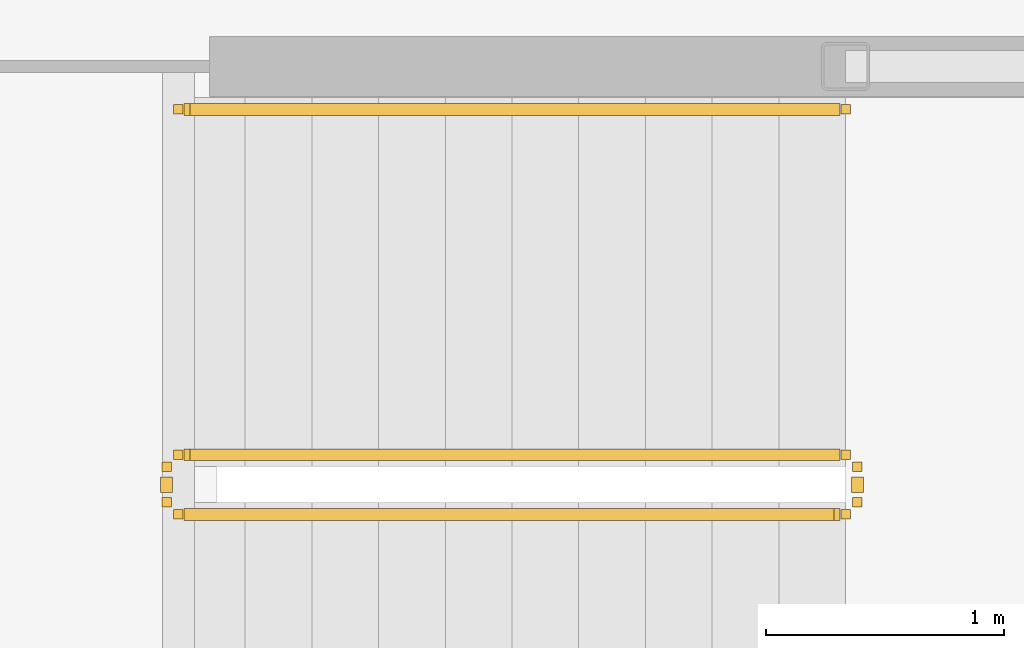
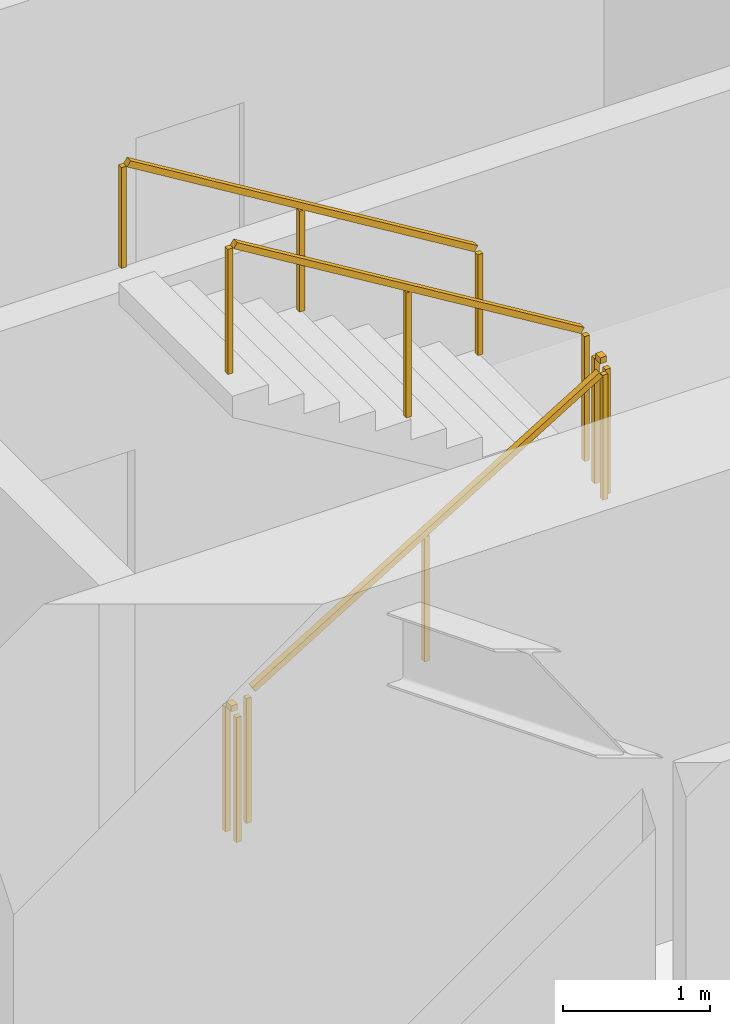
# One storey, part 28 of 31: 5 railings.
"""IFC4 building model written with IfcOpenShell, lengths in metres."""

from ifc_helpers import new_model, si_unit, direction, frame, origin, origin_2d, place, context, subcontext, project, spatial, rectangle, extrude, material, type_object, element, save


model = new_model("IFC4")

# Units and contexts
model_context = context("Model", 3, precision=1e-05, world=origin(), true_north=direction((0.0, 1.0)))
body_context = subcontext(model_context, "Body", "Model", "MODEL_VIEW")
ifc_project = project(units=[si_unit("LENGTHUNIT", "METRE"), si_unit("AREAUNIT", "SQUARE_METRE"), si_unit("VOLUMEUNIT", "CUBIC_METRE"), si_unit("PLANEANGLEUNIT", "RADIAN"), si_unit("MASSUNIT", "GRAM", prefix="KILO")], contexts=[model_context])

# Site, building, storey
site_placement = place(None, origin())
site = spatial("IfcSite", under=ifc_project, at=site_placement, CompositionType="ELEMENT")
building_placement = place(site_placement, origin())
building = spatial("IfcBuilding", under=site, at=building_placement, Name="Kazma Halo Residences", CompositionType="ELEMENT")
storey_placement = place(building_placement, frame((0.0, 0.0, 48.89990234375)))
storey = spatial("IfcBuildingStorey", under=building, at=storey_placement, Name="L11", CompositionType="ELEMENT", Elevation=48.89990234375)

# Railings
ifc_material_1 = material(Name="Painted Steel S355", Category="steel")
railing_type_1 = type_object("IfcRailingType", Name="RLG-STAIR-GRD-1100", PredefinedType="GUARDRAIL", material=ifc_material_1)
railing_1_placement = place(storey_placement, frame((53.199951171875, 35.5, 0.170654296875)))
element("IfcRailing", 1, at=railing_1_placement, inside=storey, type_object=railing_type_1, Name="L11 ST-03 stair guard 1", PredefinedType="GUARDRAIL", context=body_context, shape_type="SweptSolid", body=[
    extrude(rectangle(XDim=0.050048828125, YDim=0.050048828125, at=origin_2d()), frame((0.036376953125, 0.0, 1.09716796875), z_axis=(0.854202870247, 0.0, 0.519939858505), x_axis=(0.0, 1.0, 0.0)), (0.0, 0.0, 1.0), 3.19287109375),
    extrude(rectangle(XDim=0.0400390625, YDim=0.0400390625, at=origin_2d()), origin(), (0.0, 0.0, 1.0), 1.0380859375),
    extrude(rectangle(XDim=0.0400390625, YDim=0.0400390625, at=origin_2d()), frame((1.39990234375, 0.0, 0.85205078125)), (0.0, 0.0, 1.0), 1.0380859375),
    extrude(rectangle(XDim=0.0400390625, YDim=0.0400390625, at=origin_2d()), frame((2.800048828125, 0.0, 1.704345703125)), (0.0, 0.0, 1.0), 1.0380859375),
])
railing_2_placement = place(storey_placement, frame((56.050048828125, 35.550048828125, 1.875)))
element("IfcRailing", 2, at=railing_2_placement, inside=storey, type_object=railing_type_1, Name="L11 ST-03 stair guard 2", PredefinedType="GUARDRAIL", context=body_context, shape_type="SweptSolid", body=[
    extrude(rectangle(XDim=0.050048828125, YDim=0.050048828125, at=origin_2d()), frame((0.0, 0.04248046875, 1.0751953125), z_axis=(0.0, 1.0, 0.0), x_axis=(-1.0, 0.0, 0.0)), (0.0, 0.0, 1.0), 0.06494140625),
    extrude(rectangle(XDim=0.0400390625, YDim=0.0400390625, at=origin_2d()), origin(), (0.0, 0.0, 1.0), 1.0380859375),
    extrude(rectangle(XDim=0.0400390625, YDim=0.0400390625, at=origin_2d()), frame((0.0, 0.14990234375, 0.0)), (0.0, 0.0, 1.0), 1.0380859375),
])
railing_3_placement = place(storey_placement, frame((56.0, 35.75, 2.045654296875)))
element("IfcRailing", 3, at=railing_3_placement, inside=storey, type_object=railing_type_1, Name="L11 ST-03 stair guard 3", PredefinedType="GUARDRAIL", context=body_context, shape_type="SweptSolid", body=[
    extrude(rectangle(XDim=0.050048828125, YDim=0.050048828125, at=origin_2d()), frame((-0.036376953125, 0.0, 1.09716796875), z_axis=(-0.854202870247, 0.0, 0.519939858505), x_axis=(0.0, -1.0, 0.0)), (0.0, 0.0, 1.0), 3.19287109375),
    extrude(rectangle(XDim=0.0400390625, YDim=0.0400390625, at=origin_2d()), origin(), (0.0, 0.0, 1.0), 1.0380859375),
    extrude(rectangle(XDim=0.0400390625, YDim=0.0400390625, at=origin_2d()), frame((-1.39990234375, 0.0, 0.85205078125)), (0.0, 0.0, 1.0), 1.0380859375),
    extrude(rectangle(XDim=0.0400390625, YDim=0.0400390625, at=origin_2d()), frame((-2.800048828125, 0.0, 1.704345703125)), (0.0, 0.0, 1.0), 1.0380859375),
])
railing_4_placement = place(storey_placement, frame((53.14990234375, 35.550048828125, 0.0)))
element("IfcRailing", 4, at=railing_4_placement, inside=storey, type_object=railing_type_1, Name="L11 ST-03 stair guard 4", PredefinedType="GUARDRAIL", context=body_context, shape_type="SweptSolid", body=[
    extrude(rectangle(XDim=0.050048828125, YDim=0.050048828125, at=origin_2d()), frame((0.0, 0.04248046875, 1.0751953125), z_axis=(0.0, 1.0, 0.0), x_axis=(-1.0, 0.0, 0.0)), (0.0, 0.0, 1.0), 0.06494140625),
    extrude(rectangle(XDim=0.0400390625, YDim=0.0400390625, at=origin_2d()), origin(), (0.0, 0.0, 1.0), 1.0380859375),
    extrude(rectangle(XDim=0.0400390625, YDim=0.0400390625, at=origin_2d()), frame((0.0, 0.14990234375, 0.0)), (0.0, 0.0, 1.0), 1.0380859375),
])
ifc_material_2 = material(Name="Brushed Stainless Steel", Category="steel")
railing_type_2 = type_object("IfcRailingType", Name="RLG-STAIR-HND-900", PredefinedType="HANDRAIL", material=ifc_material_2)
railing_5_placement = place(storey_placement, frame((56.0, 37.199951171875, 2.045654296875)))
element("IfcRailing", 5, at=railing_5_placement, inside=storey, type_object=railing_type_2, Name="L11 ST-03 stair handrail 2", PredefinedType="HANDRAIL", context=body_context, shape_type="SweptSolid", body=[
    extrude(rectangle(XDim=0.050048828125, YDim=0.050048828125, at=origin_2d()), frame((-0.036376953125, 0.0, 0.89697265625), z_axis=(-0.854202870247, 0.0, 0.519939858505), x_axis=(0.0, -1.0, 0.0)), (0.0, 0.0, 1.0), 3.19287109375),
    extrude(rectangle(XDim=0.0400390625, YDim=0.0400390625, at=origin_2d()), origin(), (0.0, 0.0, 1.0), 0.837890625),
    extrude(rectangle(XDim=0.0400390625, YDim=0.0400390625, at=origin_2d()), frame((-1.39990234375, 0.0, 0.85205078125)), (0.0, 0.0, 1.0), 0.837890625),
    extrude(rectangle(XDim=0.0400390625, YDim=0.0400390625, at=origin_2d()), frame((-2.800048828125, 0.0, 1.704345703125)), (0.0, 0.0, 1.0), 0.837890625),
])

save(model, "model.ifc")
